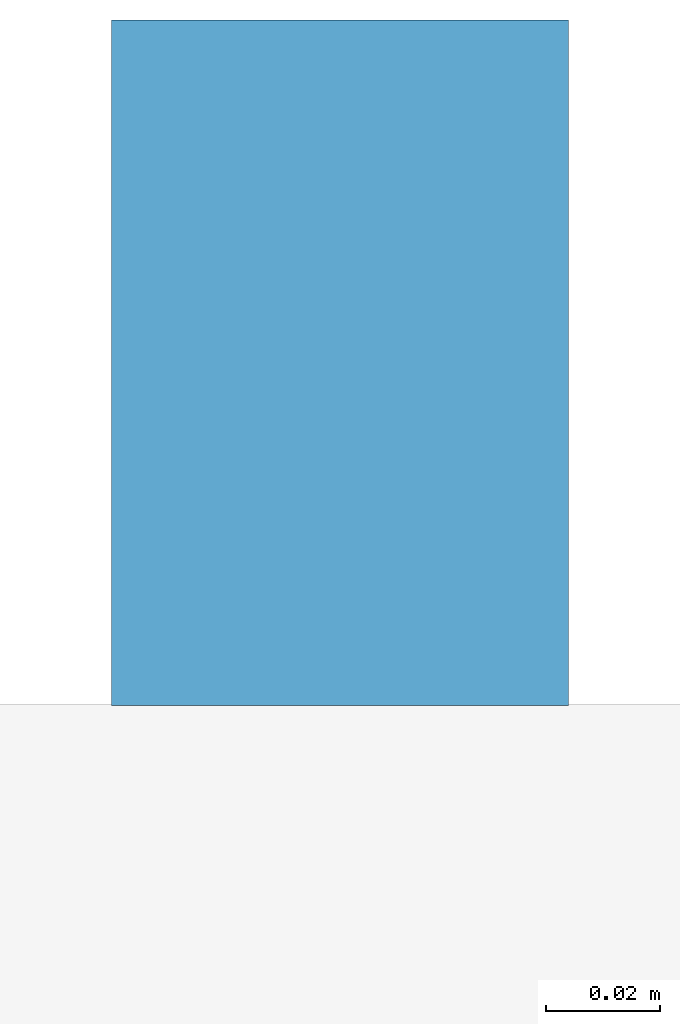
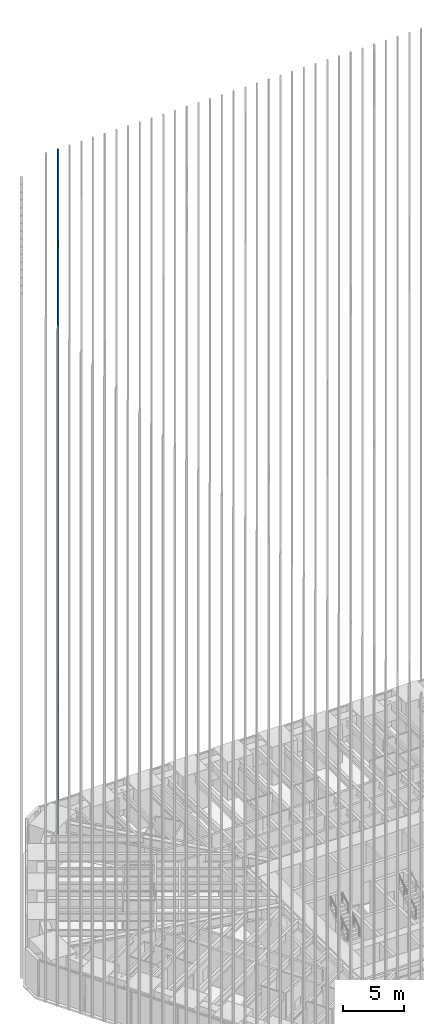
# One storey, part 163 of 256: 1 member, 1 element without a shape of its own.
"""IFC4 building model written with IfcOpenShell, lengths in metres."""

from ifc_helpers import new_model, si_unit, direction, frame, origin, origin_2d, place, context, subcontext, project, spatial, rectangle, extrude, material, material_profile, profile_set, type_object, element, aggregate, save


model = new_model("IFC4")

# Units and contexts
model_context = context("Model", 3, precision=1e-05, world=origin(), true_north=direction((0.0, 1.0)))
body_context = subcontext(model_context, "Body", "Model", "MODEL_VIEW")
ifc_project = project(units=[si_unit("LENGTHUNIT", "METRE"), si_unit("AREAUNIT", "SQUARE_METRE"), si_unit("VOLUMEUNIT", "CUBIC_METRE"), si_unit("PLANEANGLEUNIT", "RADIAN"), si_unit("MASSUNIT", "GRAM", prefix="KILO")], contexts=[model_context])

# Site, building, storey
site_placement = place(None, origin())
site = spatial("IfcSite", under=ifc_project, at=site_placement, CompositionType="ELEMENT")
building_placement = place(site_placement, origin())
building = spatial("IfcBuilding", under=site, at=building_placement, Name="Sandreach Pilgrim Tower", CompositionType="ELEMENT")
storey_placement = place(building_placement, frame((0.0, 0.0, 23.0)))
storey = spatial("IfcBuildingStorey", under=building, at=storey_placement, Name="L04", CompositionType="ELEMENT", Elevation=23.0)

# Curtain wall, member
ifc_material_1 = material(Name="Aluminium framed curtain wall", Category="aluminium")
curtain_wall_type = type_object("IfcCurtainWallType", Name="Hostel tower curtain wall", PredefinedType="NOTDEFINED", material=ifc_material_1)
curtain_wall_placement = place(storey_placement, origin())
curtain_wall = element("IfcCurtainWall", 1, at=curtain_wall_placement, inside=storey, type_object=curtain_wall_type, Name="CW-1 L04 N", PredefinedType="NOTDEFINED")
ifc_material_2 = material(Name="Extruded terracotta on aluminium core", Category="masonry")
ifc_material_profile = material_profile(ifc_material_2, rectangle(XDim=0.080078125, YDim=0.1201171875, at=origin_2d()), Name="TBN 80X120")
ifc_profile_set = profile_set([ifc_material_profile], Name="Extruded terracotta on aluminium core")
member_type = type_object("IfcMemberType", Name="Terracotta baguette north", PredefinedType="USERDEFINED", material=ifc_profile_set)
member_placement = place(storey_placement, frame((-17.671142578125, 24.30859375, 0.0), z_axis=(0.0, 0.0, 1.0), x_axis=(1.0, 0.0, 0.0)))
member = element("IfcMember", 2, at=member_placement, type_object=member_type, Name="Baguette Z1 N02", ObjectType="BAGUETTE", PredefinedType="USERDEFINED", context=body_context, shape_type="SweptSolid", body=[
    extrude(rectangle(XDim=0.080078125, YDim=0.1201171875, at=origin_2d()), origin(), (0.0, 0.0, 1.0), 68.239990234375),
])
aggregate(curtain_wall, [member])

save(model, "model.ifc")
